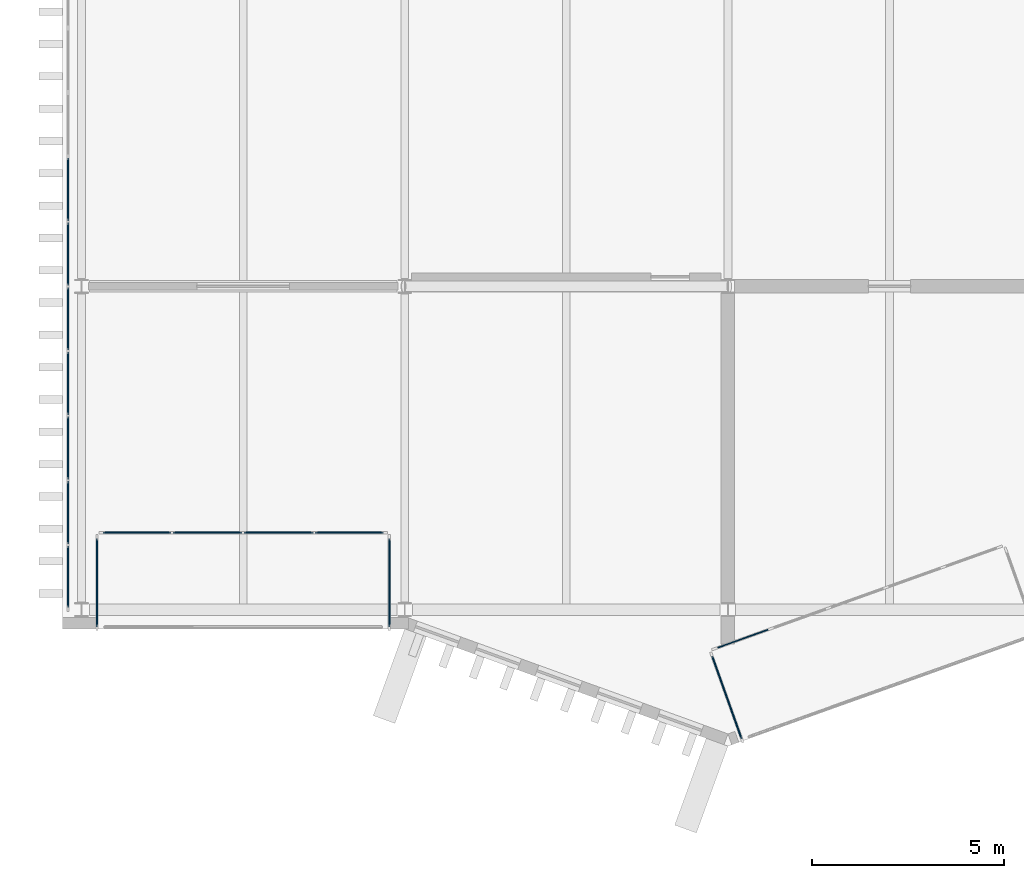
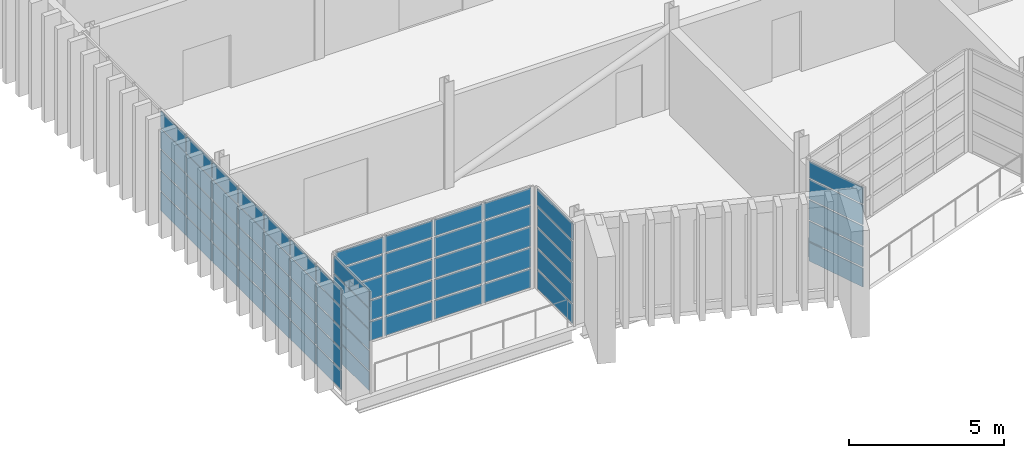
# One storey, part 45 of 96: 71 plates, 6 elements without a shape of their own.
"""IFC4 building model written with IfcOpenShell, lengths in metres."""

import ifcopenshell
import ifcopenshell.guid

model = None  # the IFC model being written
_history = None  # IfcOwnerHistory: only IFC2X3 demands one
_inside = {}  # id of a spatial element -> (the spatial element, [elements in it])
_under = {}  # id of a project, library or spatial element -> (it, [spatial elements below it])
_declared = {}  # id of a project -> (the project, [libraries it declares])
_typed = {}  # id of a type object -> (the type object, [elements of that type])
_made_of = {}  # id of a material, layer set ... -> (it, [elements and type objects made of it])


def new_model(schema):
    """Start an empty IFC model of exactly this schema.

    Asked for "IFC4X3", IfcOpenShell would pick the latest addendum, in which some entities
    have other attributes; the version numbers below select the first issue.
    IFC2X3 requires an IfcOwnerHistory on every rooted entity: one is made here for all.
    """
    global model, _history
    if schema == "IFC4X3":
        model = ifcopenshell.file(schema_version=(4, 3, 0, 0))
    else:
        model = ifcopenshell.file(schema=schema)
    _inside.clear()
    _under.clear()
    _declared.clear()
    _typed.clear()
    _made_of.clear()
    _history = None
    if model.schema == "IFC2X3":
        org = make("IfcOrganization", Name="unknown")
        user = make(
            "IfcPersonAndOrganization",
            ThePerson=make("IfcPerson", FamilyName="unknown"),
            TheOrganization=org,
        )
        app = make(
            "IfcApplication",
            ApplicationDeveloper=org,
            Version="unknown",
            ApplicationFullName="unknown",
            ApplicationIdentifier="unknown",
        )
        _history = make(
            "IfcOwnerHistory",
            OwningUser=user,
            OwningApplication=app,
            ChangeAction="ADDED",
            CreationDate=0,
        )
    return model


def make(cls, **values):
    """One entity of the class cls with the attributes given. An attribute that is None is left unset."""
    return model.create_entity(
        cls, **{name: value for name, value in values.items() if value is not None}
    )


def rooted(cls, **values):
    """An entity with a GlobalId (a new one), such as an element, a storey or a relation."""
    return make(cls, GlobalId=ifcopenshell.guid.new(), OwnerHistory=_history, **values)


def si_unit(unit_type, name, prefix=None):
    """IfcSIUnit, for example si_unit("LENGTHUNIT", "METRE", prefix="MILLI")."""
    return make("IfcSIUnit", UnitType=unit_type, Prefix=prefix, Name=name)


def assignment(units):
    """IfcUnitAssignment: the units of a project."""
    return None if units is None else make("IfcUnitAssignment", Units=units)


def point(xyz):
    """IfcCartesianPoint."""
    return None if xyz is None else make("IfcCartesianPoint", Coordinates=xyz)


def direction(xyz):
    """IfcDirection."""
    return None if xyz is None else make("IfcDirection", DirectionRatios=xyz)


def frame(location, z_axis=None, x_axis=None):
    """IfcAxis2Placement3D, a coordinate frame: its origin and axes. An axis left out is left unset."""
    return make(
        "IfcAxis2Placement3D",
        Location=point(location),
        Axis=direction(z_axis),
        RefDirection=direction(x_axis),
    )


def frame_2d(location, x_axis=None):
    """IfcAxis2Placement2D, a coordinate frame in the plane: its origin and x axis."""
    return make(
        "IfcAxis2Placement2D", Location=point(location), RefDirection=direction(x_axis)
    )


def origin():
    """The frame at (0, 0, 0) with its axes left unset."""
    return frame((0.0, 0.0, 0.0))


def origin_2d():
    """The frame at (0, 0) in the plane with its x axis left unset."""
    return frame_2d((0.0, 0.0))


def place(relative_to, where):
    """IfcLocalPlacement: puts the frame where relative to a parent placement (None: the world)."""
    return make(
        "IfcLocalPlacement", PlacementRelTo=relative_to, RelativePlacement=where
    )


def context(
    kind, dimensions, precision=None, world=None, true_north=None, identifier=None
):
    """IfcGeometricRepresentationContext, for example the 3D "Model" context."""
    return make(
        "IfcGeometricRepresentationContext",
        ContextIdentifier=identifier,
        ContextType=kind,
        CoordinateSpaceDimension=dimensions,
        Precision=precision,
        WorldCoordinateSystem=world,
        TrueNorth=true_north,
    )


def subcontext(parent, identifier, kind, view, scale=None):
    """IfcGeometricRepresentationSubContext, for example "Body" below "Model"."""
    return make(
        "IfcGeometricRepresentationSubContext",
        ContextIdentifier=identifier,
        ContextType=kind,
        ParentContext=parent,
        TargetScale=scale,
        TargetView=view,
    )


def project(units=None, contexts=None):
    """IfcProject with its units and contexts."""
    return rooted(
        "IfcProject",
        Name="project",
        RepresentationContexts=contexts,
        UnitsInContext=assignment(units),
    )


def spatial(cls, under=None, at=None, **own):
    """A site, building, storey or space (cls), placed at a placement, below another one or the project."""
    s = rooted(cls, ObjectPlacement=at, **own)
    if under is not None:
        _under.setdefault(under.id(), (under, []))[1].append(s)
    return s


def profile(cls, at=None, kind="AREA", **sizes):
    """A parametric profile (cls). Its sizes go by their IFC names, for example OverallWidth=200.0."""
    return make(cls, ProfileType=kind, Position=at, **sizes)


def rectangle(**sizes):
    """IfcRectangleProfileDef."""
    return profile("IfcRectangleProfileDef", **sizes)


def extrude(swept, where, along, depth):
    """IfcExtrudedAreaSolid: the profile swept, set in the frame where, extruded along a direction by depth."""
    return make(
        "IfcExtrudedAreaSolid",
        SweptArea=swept,
        Position=where,
        ExtrudedDirection=direction(along),
        Depth=depth,
    )


def shape(context_of_items, identifier, shape_type, items):
    """IfcShapeRepresentation: the items that make up one representation, for example the "Body"."""
    return make(
        "IfcShapeRepresentation",
        ContextOfItems=context_of_items,
        RepresentationIdentifier=identifier,
        RepresentationType=shape_type,
        Items=items,
    )


def material(Name=None, Category=None):
    """IfcMaterial."""
    return make("IfcMaterial", Name=Name, Category=Category)


def layer(
    of_material, thickness, ventilated=None, Name=None, Category=None, Priority=None
):
    """IfcMaterialLayer: one layer of a wall or slab, of a material (None: an air gap)."""
    return make(
        "IfcMaterialLayer",
        Material=of_material,
        LayerThickness=thickness,
        IsVentilated=ventilated,
        Name=Name,
        Category=Category,
        Priority=Priority,
    )


def layer_set(layers, Name=None):
    """IfcMaterialLayerSet."""
    return make("IfcMaterialLayerSet", MaterialLayers=layers, LayerSetName=Name)


def made_of(thing, what):
    """Note that an element or type object is made of a material, layer set ...; save() writes the relation."""
    if what is not None:
        _made_of.setdefault(what.id(), (what, []))[1].append(thing)
    return thing


def type_object(cls, material=None, **own):
    """A type object (cls), such as IfcWallType, which elements share."""
    return made_of(rooted(cls, **own), material)


def element(
    cls,
    number,
    at=None,
    inside=None,
    cuts=None,
    type_object=None,
    material=None,
    context=None,
    identifier="Body",
    shape_type=None,
    held_by="IfcProductDefinitionShape",
    body=None,
    shapes=None,
    **own,
):
    """One element of the class cls, such as IfcWall. Its Tag is "e" and its number.

    at: its placement. inside: the storey or other place that contains it. cuts: it is an
    opening in that element (IfcRelVoidsElement). A single representation is given by context,
    identifier, shape_type and body (its items); several are given by shapes. held_by: the class
    of the entity that holds the representations. save() writes the other relations.
    """
    e = rooted(cls, Tag="e%d" % number, ObjectPlacement=at, **own)
    if body is not None:
        shapes = [shape(context, identifier, shape_type, body)]
    if shapes is not None:
        e.Representation = make(held_by, Representations=shapes)
    if inside is not None:
        _inside.setdefault(inside.id(), (inside, []))[1].append(e)
    if cuts is not None:
        rooted(
            "IfcRelVoidsElement", RelatingBuildingElement=cuts, RelatedOpeningElement=e
        )
    if type_object is not None:
        _typed.setdefault(type_object.id(), (type_object, []))[1].append(e)
    return made_of(e, material)


def aggregate(whole, parts):
    """IfcRelAggregates: a whole, such as a stair, and the parts it consists of."""
    return rooted("IfcRelAggregates", RelatingObject=whole, RelatedObjects=parts)


def save(model, path):
    """Write the relations noted so far, then the file.

    IfcRelAggregates (storeys below a building ...), IfcRelContainedInSpatialStructure (elements
    in a storey), IfcRelDefinesByType, IfcRelAssociatesMaterial and IfcRelDeclares: one each for
    every whole, place, type object, material and project.
    """
    for whole, parts in _under.values():
        aggregate(whole, parts)
    for where, things in _inside.values():
        rooted(
            "IfcRelContainedInSpatialStructure",
            RelatedElements=things,
            RelatingStructure=where,
        )
    for kind, things in _typed.values():
        rooted("IfcRelDefinesByType", RelatedObjects=things, RelatingType=kind)
    for what, things in _made_of.values():
        rooted("IfcRelAssociatesMaterial", RelatedObjects=things, RelatingMaterial=what)
    for by, libraries in _declared.values():
        rooted("IfcRelDeclares", RelatingContext=by, RelatedDefinitions=libraries)
    model.write(path)


model = new_model("IFC4")

# Units and contexts
model_context = context("Model", 3, precision=1e-05, world=origin(), true_north=direction((0.0, 1.0)))
body_context = subcontext(model_context, "Body", "Model", "MODEL_VIEW")
ifc_project = project(units=[si_unit("LENGTHUNIT", "METRE"), si_unit("AREAUNIT", "SQUARE_METRE"), si_unit("VOLUMEUNIT", "CUBIC_METRE"), si_unit("PLANEANGLEUNIT", "RADIAN"), si_unit("MASSUNIT", "GRAM", prefix="KILO")], contexts=[model_context])

# Site, building, storey
site_placement = place(None, origin())
site = spatial("IfcSite", under=ifc_project, at=site_placement, CompositionType="ELEMENT")
building_placement = place(site_placement, origin())
building = spatial("IfcBuilding", under=site, at=building_placement, Name="Cresset Court Congress Hotel", CompositionType="ELEMENT")
storey_placement = place(building_placement, frame((0.0, 0.0, 6.0)))
storey = spatial("IfcBuildingStorey", under=building, at=storey_placement, Name="L01", CompositionType="ELEMENT", Elevation=6.0)

# Curtain wall, plates
ifc_material_1 = material(Name="Aluminium frame with double glazing", Category="aluminium")
ifc_layer_1 = layer(ifc_material_1, 0.199951171875)
ifc_layer_set_1 = layer_set([ifc_layer_1], Name="Glazed box curtain wall 1680 module")
curtain_wall_type = type_object("IfcCurtainWallType", Name="Glazed box curtain wall 1680 module", PredefinedType="NOTDEFINED", material=ifc_layer_set_1)
curtain_wall_1_placement = place(storey_placement, origin())
curtain_wall_1 = element("IfcCurtainWall", 1, at=curtain_wall_1_placement, inside=storey, type_object=curtain_wall_type, Name="Glazed box S0100 front", PredefinedType="NOTDEFINED")
ifc_material_2 = material(Name="Toughened double glazing", Category="glass")
ifc_layer_2 = layer(ifc_material_2, 0.028076171875)
ifc_layer_set_2 = layer_set([ifc_layer_2], Name="Box glass panel 28")
plate_type_1 = type_object("IfcPlateType", Name="Box glass panel 28", PredefinedType="CURTAIN_PANEL", material=ifc_layer_set_2)
plate_1_placement = place(storey_placement, frame((9.840087890625, 2.0, 0.06005859375), z_axis=(0.0, 0.0, 1.0), x_axis=(1.0, 0.0, 0.0)))
plate_1 = element("IfcPlate", 2, at=plate_1_placement, type_object=plate_type_1, Name="B-X1 panel 1.1", PredefinedType="CURTAIN_PANEL", context=body_context, shape_type="SweptSolid", body=[
    extrude(rectangle(XDim=1.760009765625, YDim=0.028076171875, at=origin_2d()), origin(), (0.0, 0.0, 1.0), 0.739990234375),
])
plate_2_placement = place(storey_placement, frame((9.840087890625, 2.0, 0.860107421875), z_axis=(0.0, 0.0, 1.0), x_axis=(1.0, 0.0, 0.0)))
plate_2 = element("IfcPlate", 3, at=plate_2_placement, type_object=plate_type_1, Name="B-X1 panel 1.2", PredefinedType="CURTAIN_PANEL", context=body_context, shape_type="SweptSolid", body=[
    extrude(rectangle(XDim=1.760009765625, YDim=0.028076171875, at=origin_2d()), origin(), (0.0, 0.0, 1.0), 0.77001953125),
])
plate_3_placement = place(storey_placement, frame((9.840087890625, 2.0, 1.68994140625), z_axis=(0.0, 0.0, 1.0), x_axis=(1.0, 0.0, 0.0)))
plate_3 = element("IfcPlate", 4, at=plate_3_placement, type_object=plate_type_1, Name="B-X1 panel 1.3", PredefinedType="CURTAIN_PANEL", context=body_context, shape_type="SweptSolid", body=[
    extrude(rectangle(XDim=1.760009765625, YDim=0.028076171875, at=origin_2d()), origin(), (0.0, 0.0, 1.0), 0.77001953125),
])
plate_4_placement = place(storey_placement, frame((9.840087890625, 2.0, 2.52001953125), z_axis=(0.0, 0.0, 1.0), x_axis=(1.0, 0.0, 0.0)))
plate_4 = element("IfcPlate", 5, at=plate_4_placement, type_object=plate_type_1, Name="B-X1 panel 1.4", PredefinedType="CURTAIN_PANEL", context=body_context, shape_type="SweptSolid", body=[
    extrude(rectangle(XDim=1.760009765625, YDim=0.028076171875, at=origin_2d()), origin(), (0.0, 0.0, 1.0), 0.77001953125),
])
plate_5_placement = place(storey_placement, frame((11.675048828125, 2.0, 0.06005859375), z_axis=(0.0, 0.0, 1.0), x_axis=(1.0, 0.0, 0.0)))
plate_5 = element("IfcPlate", 6, at=plate_5_placement, type_object=plate_type_1, Name="B-X1 panel 2.1", PredefinedType="CURTAIN_PANEL", context=body_context, shape_type="SweptSolid", body=[
    extrude(rectangle(XDim=1.7900390625, YDim=0.028076171875, at=origin_2d()), origin(), (0.0, 0.0, 1.0), 0.739990234375),
])
plate_6_placement = place(storey_placement, frame((11.675048828125, 2.0, 0.860107421875), z_axis=(0.0, 0.0, 1.0), x_axis=(1.0, 0.0, 0.0)))
plate_6 = element("IfcPlate", 7, at=plate_6_placement, type_object=plate_type_1, Name="B-X1 panel 2.2", PredefinedType="CURTAIN_PANEL", context=body_context, shape_type="SweptSolid", body=[
    extrude(rectangle(XDim=1.7900390625, YDim=0.028076171875, at=origin_2d()), origin(), (0.0, 0.0, 1.0), 0.77001953125),
])
plate_7_placement = place(storey_placement, frame((11.675048828125, 2.0, 1.68994140625), z_axis=(0.0, 0.0, 1.0), x_axis=(1.0, 0.0, 0.0)))
plate_7 = element("IfcPlate", 8, at=plate_7_placement, type_object=plate_type_1, Name="B-X1 panel 2.3", PredefinedType="CURTAIN_PANEL", context=body_context, shape_type="SweptSolid", body=[
    extrude(rectangle(XDim=1.7900390625, YDim=0.028076171875, at=origin_2d()), origin(), (0.0, 0.0, 1.0), 0.77001953125),
])
plate_8_placement = place(storey_placement, frame((11.675048828125, 2.0, 2.52001953125), z_axis=(0.0, 0.0, 1.0), x_axis=(1.0, 0.0, 0.0)))
plate_8 = element("IfcPlate", 9, at=plate_8_placement, type_object=plate_type_1, Name="B-X1 panel 2.4", PredefinedType="CURTAIN_PANEL", context=body_context, shape_type="SweptSolid", body=[
    extrude(rectangle(XDim=1.7900390625, YDim=0.028076171875, at=origin_2d()), origin(), (0.0, 0.0, 1.0), 0.77001953125),
])
plate_9_placement = place(storey_placement, frame((13.52490234375, 2.0, 0.06005859375), z_axis=(0.0, 0.0, 1.0), x_axis=(1.0, 0.0, 0.0)))
plate_9 = element("IfcPlate", 10, at=plate_9_placement, type_object=plate_type_1, Name="B-X1 panel 3.1", PredefinedType="CURTAIN_PANEL", context=body_context, shape_type="SweptSolid", body=[
    extrude(rectangle(XDim=1.7900390625, YDim=0.028076171875, at=origin_2d()), origin(), (0.0, 0.0, 1.0), 0.739990234375),
])
plate_10_placement = place(storey_placement, frame((13.52490234375, 2.0, 0.860107421875), z_axis=(0.0, 0.0, 1.0), x_axis=(1.0, 0.0, 0.0)))
plate_10 = element("IfcPlate", 11, at=plate_10_placement, type_object=plate_type_1, Name="B-X1 panel 3.2", PredefinedType="CURTAIN_PANEL", context=body_context, shape_type="SweptSolid", body=[
    extrude(rectangle(XDim=1.7900390625, YDim=0.028076171875, at=origin_2d()), origin(), (0.0, 0.0, 1.0), 0.77001953125),
])
plate_11_placement = place(storey_placement, frame((13.52490234375, 2.0, 1.68994140625), z_axis=(0.0, 0.0, 1.0), x_axis=(1.0, 0.0, 0.0)))
plate_11 = element("IfcPlate", 12, at=plate_11_placement, type_object=plate_type_1, Name="B-X1 panel 3.3", PredefinedType="CURTAIN_PANEL", context=body_context, shape_type="SweptSolid", body=[
    extrude(rectangle(XDim=1.7900390625, YDim=0.028076171875, at=origin_2d()), origin(), (0.0, 0.0, 1.0), 0.77001953125),
])
plate_12_placement = place(storey_placement, frame((13.52490234375, 2.0, 2.52001953125), z_axis=(0.0, 0.0, 1.0), x_axis=(1.0, 0.0, 0.0)))
plate_12 = element("IfcPlate", 13, at=plate_12_placement, type_object=plate_type_1, Name="B-X1 panel 3.4", PredefinedType="CURTAIN_PANEL", context=body_context, shape_type="SweptSolid", body=[
    extrude(rectangle(XDim=1.7900390625, YDim=0.028076171875, at=origin_2d()), origin(), (0.0, 0.0, 1.0), 0.77001953125),
])
plate_13_placement = place(storey_placement, frame((15.360107421875, 2.0, 0.06005859375), z_axis=(0.0, 0.0, 1.0), x_axis=(1.0, 0.0, 0.0)))
plate_13 = element("IfcPlate", 14, at=plate_13_placement, type_object=plate_type_1, Name="B-X1 panel 4.1", PredefinedType="CURTAIN_PANEL", context=body_context, shape_type="SweptSolid", body=[
    extrude(rectangle(XDim=1.760009765625, YDim=0.028076171875, at=origin_2d()), origin(), (0.0, 0.0, 1.0), 0.739990234375),
])
plate_14_placement = place(storey_placement, frame((15.360107421875, 2.0, 0.860107421875), z_axis=(0.0, 0.0, 1.0), x_axis=(1.0, 0.0, 0.0)))
plate_14 = element("IfcPlate", 15, at=plate_14_placement, type_object=plate_type_1, Name="B-X1 panel 4.2", PredefinedType="CURTAIN_PANEL", context=body_context, shape_type="SweptSolid", body=[
    extrude(rectangle(XDim=1.760009765625, YDim=0.028076171875, at=origin_2d()), origin(), (0.0, 0.0, 1.0), 0.77001953125),
])
plate_15_placement = place(storey_placement, frame((15.360107421875, 2.0, 1.68994140625), z_axis=(0.0, 0.0, 1.0), x_axis=(1.0, 0.0, 0.0)))
plate_15 = element("IfcPlate", 16, at=plate_15_placement, type_object=plate_type_1, Name="B-X1 panel 4.3", PredefinedType="CURTAIN_PANEL", context=body_context, shape_type="SweptSolid", body=[
    extrude(rectangle(XDim=1.760009765625, YDim=0.028076171875, at=origin_2d()), origin(), (0.0, 0.0, 1.0), 0.77001953125),
])
plate_16_placement = place(storey_placement, frame((15.360107421875, 2.0, 2.52001953125), z_axis=(0.0, 0.0, 1.0), x_axis=(1.0, 0.0, 0.0)))
plate_16 = element("IfcPlate", 17, at=plate_16_placement, type_object=plate_type_1, Name="B-X1 panel 4.4", PredefinedType="CURTAIN_PANEL", context=body_context, shape_type="SweptSolid", body=[
    extrude(rectangle(XDim=1.760009765625, YDim=0.028076171875, at=origin_2d()), origin(), (0.0, 0.0, 1.0), 0.77001953125),
])

curtain_wall_2_placement = place(storey_placement, origin())
curtain_wall_2 = element("IfcCurtainWall", 18, at=curtain_wall_2_placement, inside=storey, type_object=curtain_wall_type, Name="Glazed box S0100 side", PredefinedType="NOTDEFINED")
plate_17_placement = place(storey_placement, frame((8.800048828125, 0.699951171875, 0.06005859375), z_axis=(0.0, 0.0, 1.0), x_axis=(0.0, 1.0, 0.0)))
plate_17 = element("IfcPlate", 19, at=plate_17_placement, type_object=plate_type_1, Name="B-X1 panel 1.1", PredefinedType="CURTAIN_PANEL", context=body_context, shape_type="SweptSolid", body=[
    extrude(rectangle(XDim=2.280029296875, YDim=0.028076171875, at=origin_2d()), origin(), (0.0, 0.0, 1.0), 0.739990234375),
])
plate_18_placement = place(storey_placement, frame((8.800048828125, 0.699951171875, 0.860107421875), z_axis=(0.0, 0.0, 1.0), x_axis=(0.0, 1.0, 0.0)))
plate_18 = element("IfcPlate", 20, at=plate_18_placement, type_object=plate_type_1, Name="B-X1 panel 1.2", PredefinedType="CURTAIN_PANEL", context=body_context, shape_type="SweptSolid", body=[
    extrude(rectangle(XDim=2.280029296875, YDim=0.028076171875, at=origin_2d()), origin(), (0.0, 0.0, 1.0), 0.77001953125),
])
plate_19_placement = place(storey_placement, frame((8.800048828125, 0.699951171875, 1.68994140625), z_axis=(0.0, 0.0, 1.0), x_axis=(0.0, 1.0, 0.0)))
plate_19 = element("IfcPlate", 21, at=plate_19_placement, type_object=plate_type_1, Name="B-X1 panel 1.3", PredefinedType="CURTAIN_PANEL", context=body_context, shape_type="SweptSolid", body=[
    extrude(rectangle(XDim=2.280029296875, YDim=0.028076171875, at=origin_2d()), origin(), (0.0, 0.0, 1.0), 0.77001953125),
])
plate_20_placement = place(storey_placement, frame((8.800048828125, 0.699951171875, 2.52001953125), z_axis=(0.0, 0.0, 1.0), x_axis=(0.0, 1.0, 0.0)))
plate_20 = element("IfcPlate", 22, at=plate_20_placement, type_object=plate_type_1, Name="B-X1 panel 1.4", PredefinedType="CURTAIN_PANEL", context=body_context, shape_type="SweptSolid", body=[
    extrude(rectangle(XDim=2.280029296875, YDim=0.028076171875, at=origin_2d()), origin(), (0.0, 0.0, 1.0), 0.77001953125),
])

curtain_wall_3_placement = place(storey_placement, origin())
curtain_wall_3 = element("IfcCurtainWall", 23, at=curtain_wall_3_placement, inside=storey, type_object=curtain_wall_type, Name="Glazed box S0100 side", PredefinedType="NOTDEFINED")
plate_21_placement = place(storey_placement, frame((16.39990234375, 0.699951171875, 0.06005859375), z_axis=(0.0, 0.0, 1.0), x_axis=(0.0, 1.0, 0.0)))
plate_21 = element("IfcPlate", 24, at=plate_21_placement, type_object=plate_type_1, Name="B-X1 panel 1.1", PredefinedType="CURTAIN_PANEL", context=body_context, shape_type="SweptSolid", body=[
    extrude(rectangle(XDim=2.280029296875, YDim=0.028076171875, at=origin_2d()), origin(), (0.0, 0.0, 1.0), 0.739990234375),
])
plate_22_placement = place(storey_placement, frame((16.39990234375, 0.699951171875, 0.860107421875), z_axis=(0.0, 0.0, 1.0), x_axis=(0.0, 1.0, 0.0)))
plate_22 = element("IfcPlate", 25, at=plate_22_placement, type_object=plate_type_1, Name="B-X1 panel 1.2", PredefinedType="CURTAIN_PANEL", context=body_context, shape_type="SweptSolid", body=[
    extrude(rectangle(XDim=2.280029296875, YDim=0.028076171875, at=origin_2d()), origin(), (0.0, 0.0, 1.0), 0.77001953125),
])
plate_23_placement = place(storey_placement, frame((16.39990234375, 0.699951171875, 1.68994140625), z_axis=(0.0, 0.0, 1.0), x_axis=(0.0, 1.0, 0.0)))
plate_23 = element("IfcPlate", 26, at=plate_23_placement, type_object=plate_type_1, Name="B-X1 panel 1.3", PredefinedType="CURTAIN_PANEL", context=body_context, shape_type="SweptSolid", body=[
    extrude(rectangle(XDim=2.280029296875, YDim=0.028076171875, at=origin_2d()), origin(), (0.0, 0.0, 1.0), 0.77001953125),
])
plate_24_placement = place(storey_placement, frame((16.39990234375, 0.699951171875, 2.52001953125), z_axis=(0.0, 0.0, 1.0), x_axis=(0.0, 1.0, 0.0)))
plate_24 = element("IfcPlate", 27, at=plate_24_placement, type_object=plate_type_1, Name="B-X1 panel 1.4", PredefinedType="CURTAIN_PANEL", context=body_context, shape_type="SweptSolid", body=[
    extrude(rectangle(XDim=2.280029296875, YDim=0.028076171875, at=origin_2d()), origin(), (0.0, 0.0, 1.0), 0.77001953125),
])

# Curtain wall, plate
curtain_wall_4_placement = place(storey_placement, origin())
curtain_wall_4 = element("IfcCurtainWall", 28, at=curtain_wall_4_placement, inside=storey, type_object=curtain_wall_type, Name="Glazed box S0103 front", PredefinedType="NOTDEFINED")
plate_25_placement = place(storey_placement, frame((25.590087890625, -0.756103515625, 0.06005859375), z_axis=(0.0, 0.0, 1.0), x_axis=(0.941741911601, 0.336336396981, 0.0)))
plate_25 = element("IfcPlate", 29, at=plate_25_placement, type_object=plate_type_1, Name="B-X1 panel 1.1", PredefinedType="CURTAIN_PANEL", context=body_context, shape_type="SweptSolid", body=[
    extrude(rectangle(XDim=1.493896484375, YDim=0.028076171875, at=origin_2d()), origin(), (0.0, 0.0, 1.0), 0.739990234375),
])
aggregate(curtain_wall_4, [plate_25])

# Curtain wall, plates
curtain_wall_5_placement = place(storey_placement, origin())
curtain_wall_5 = element("IfcCurtainWall", 30, at=curtain_wall_5_placement, inside=storey, type_object=curtain_wall_type, Name="Glazed box S0103 side", PredefinedType="NOTDEFINED")
plate_26_placement = place(storey_placement, frame((25.173095703125, -2.285400390625, 0.06005859375), z_axis=(0.0, 0.0, 1.0), x_axis=(-0.336336397047, 0.941741911578, 0.0)))
plate_26 = element("IfcPlate", 31, at=plate_26_placement, type_object=plate_type_1, Name="B-X1 panel 1.1", PredefinedType="CURTAIN_PANEL", context=body_context, shape_type="SweptSolid", body=[
    extrude(rectangle(XDim=2.280029296875, YDim=0.028076171875, at=origin_2d()), origin(), (0.0, 0.0, 1.0), 0.739990234375),
])
plate_27_placement = place(storey_placement, frame((25.173095703125, -2.285400390625, 0.860107421875), z_axis=(0.0, 0.0, 1.0), x_axis=(-0.336336397047, 0.941741911578, 0.0)))
plate_27 = element("IfcPlate", 32, at=plate_27_placement, type_object=plate_type_1, Name="B-X1 panel 1.2", PredefinedType="CURTAIN_PANEL", context=body_context, shape_type="SweptSolid", body=[
    extrude(rectangle(XDim=2.280029296875, YDim=0.028076171875, at=origin_2d()), origin(), (0.0, 0.0, 1.0), 0.77001953125),
])
plate_28_placement = place(storey_placement, frame((25.173095703125, -2.285400390625, 1.68994140625), z_axis=(0.0, 0.0, 1.0), x_axis=(-0.336336397047, 0.941741911578, 0.0)))
plate_28 = element("IfcPlate", 33, at=plate_28_placement, type_object=plate_type_1, Name="B-X1 panel 1.3", PredefinedType="CURTAIN_PANEL", context=body_context, shape_type="SweptSolid", body=[
    extrude(rectangle(XDim=2.280029296875, YDim=0.028076171875, at=origin_2d()), origin(), (0.0, 0.0, 1.0), 0.77001953125),
])
plate_29_placement = place(storey_placement, frame((25.173095703125, -2.285400390625, 2.52001953125), z_axis=(0.0, 0.0, 1.0), x_axis=(-0.336336397047, 0.941741911578, 0.0)))
plate_29 = element("IfcPlate", 34, at=plate_29_placement, type_object=plate_type_1, Name="B-X1 panel 1.4", PredefinedType="CURTAIN_PANEL", context=body_context, shape_type="SweptSolid", body=[
    extrude(rectangle(XDim=2.280029296875, YDim=0.028076171875, at=origin_2d()), origin(), (0.0, 0.0, 1.0), 0.77001953125),
])

curtain_wall_6_placement = place(storey_placement, origin())
curtain_wall_6 = element("IfcCurtainWall", 35, at=curtain_wall_6_placement, inside=storey, type_object=curtain_wall_type, Name="Foyer glazed front L01", PredefinedType="NOTDEFINED")
plate_30_placement = place(storey_placement, frame((8.050048828125, 0.85498046875, 0.06005859375), z_axis=(0.0, 0.0, 1.0), x_axis=(0.0, 1.0, 0.0)))
plate_30 = element("IfcPlate", 36, at=plate_30_placement, type_object=plate_type_1, Name="B-X1 panel 1.1", PredefinedType="CURTAIN_PANEL", context=body_context, shape_type="SweptSolid", body=[
    extrude(rectangle(XDim=1.590087890625, YDim=0.028076171875, at=origin_2d()), origin(), (0.0, 0.0, 1.0), 0.739990234375),
])
plate_31_placement = place(storey_placement, frame((8.050048828125, 0.85498046875, 0.860107421875), z_axis=(0.0, 0.0, 1.0), x_axis=(0.0, 1.0, 0.0)))
plate_31 = element("IfcPlate", 37, at=plate_31_placement, type_object=plate_type_1, Name="B-X1 panel 1.2", PredefinedType="CURTAIN_PANEL", context=body_context, shape_type="SweptSolid", body=[
    extrude(rectangle(XDim=1.590087890625, YDim=0.028076171875, at=origin_2d()), origin(), (0.0, 0.0, 1.0), 0.77001953125),
])
plate_32_placement = place(storey_placement, frame((8.050048828125, 0.85498046875, 1.68994140625), z_axis=(0.0, 0.0, 1.0), x_axis=(0.0, 1.0, 0.0)))
plate_32 = element("IfcPlate", 38, at=plate_32_placement, type_object=plate_type_1, Name="B-X1 panel 1.3", PredefinedType="CURTAIN_PANEL", context=body_context, shape_type="SweptSolid", body=[
    extrude(rectangle(XDim=1.590087890625, YDim=0.028076171875, at=origin_2d()), origin(), (0.0, 0.0, 1.0), 0.77001953125),
])
plate_33_placement = place(storey_placement, frame((8.050048828125, 0.85498046875, 2.52001953125), z_axis=(0.0, 0.0, 1.0), x_axis=(0.0, 1.0, 0.0)))
plate_33 = element("IfcPlate", 39, at=plate_33_placement, type_object=plate_type_1, Name="B-X1 panel 1.4", PredefinedType="CURTAIN_PANEL", context=body_context, shape_type="SweptSolid", body=[
    extrude(rectangle(XDim=1.590087890625, YDim=0.028076171875, at=origin_2d()), origin(), (0.0, 0.0, 1.0), 0.77001953125),
])
plate_34_placement = place(storey_placement, frame((8.050048828125, 2.52001953125, 0.06005859375), z_axis=(0.0, 0.0, 1.0), x_axis=(0.0, 1.0, 0.0)))
plate_34 = element("IfcPlate", 40, at=plate_34_placement, type_object=plate_type_1, Name="B-X1 panel 2.1", PredefinedType="CURTAIN_PANEL", context=body_context, shape_type="SweptSolid", body=[
    extrude(rectangle(XDim=1.6201171875, YDim=0.028076171875, at=origin_2d()), origin(), (0.0, 0.0, 1.0), 0.739990234375),
])
plate_35_placement = place(storey_placement, frame((8.050048828125, 2.52001953125, 0.860107421875), z_axis=(0.0, 0.0, 1.0), x_axis=(0.0, 1.0, 0.0)))
plate_35 = element("IfcPlate", 41, at=plate_35_placement, type_object=plate_type_1, Name="B-X1 panel 2.2", PredefinedType="CURTAIN_PANEL", context=body_context, shape_type="SweptSolid", body=[
    extrude(rectangle(XDim=1.6201171875, YDim=0.028076171875, at=origin_2d()), origin(), (0.0, 0.0, 1.0), 0.77001953125),
])
plate_36_placement = place(storey_placement, frame((8.050048828125, 2.52001953125, 1.68994140625), z_axis=(0.0, 0.0, 1.0), x_axis=(0.0, 1.0, 0.0)))
plate_36 = element("IfcPlate", 42, at=plate_36_placement, type_object=plate_type_1, Name="B-X1 panel 2.3", PredefinedType="CURTAIN_PANEL", context=body_context, shape_type="SweptSolid", body=[
    extrude(rectangle(XDim=1.6201171875, YDim=0.028076171875, at=origin_2d()), origin(), (0.0, 0.0, 1.0), 0.77001953125),
])
plate_37_placement = place(storey_placement, frame((8.050048828125, 2.52001953125, 2.52001953125), z_axis=(0.0, 0.0, 1.0), x_axis=(0.0, 1.0, 0.0)))
plate_37 = element("IfcPlate", 43, at=plate_37_placement, type_object=plate_type_1, Name="B-X1 panel 2.4", PredefinedType="CURTAIN_PANEL", context=body_context, shape_type="SweptSolid", body=[
    extrude(rectangle(XDim=1.6201171875, YDim=0.028076171875, at=origin_2d()), origin(), (0.0, 0.0, 1.0), 0.77001953125),
])
plate_38_placement = place(storey_placement, frame((8.050048828125, 4.199951171875, 0.06005859375), z_axis=(0.0, 0.0, 1.0), x_axis=(0.0, 1.0, 0.0)))
plate_38 = element("IfcPlate", 44, at=plate_38_placement, type_object=plate_type_1, Name="B-X1 panel 3.1", PredefinedType="CURTAIN_PANEL", context=body_context, shape_type="SweptSolid", body=[
    extrude(rectangle(XDim=1.6201171875, YDim=0.028076171875, at=origin_2d()), origin(), (0.0, 0.0, 1.0), 0.739990234375),
])
plate_39_placement = place(storey_placement, frame((8.050048828125, 4.199951171875, 0.860107421875), z_axis=(0.0, 0.0, 1.0), x_axis=(0.0, 1.0, 0.0)))
plate_39 = element("IfcPlate", 45, at=plate_39_placement, type_object=plate_type_1, Name="B-X1 panel 3.2", PredefinedType="CURTAIN_PANEL", context=body_context, shape_type="SweptSolid", body=[
    extrude(rectangle(XDim=1.6201171875, YDim=0.028076171875, at=origin_2d()), origin(), (0.0, 0.0, 1.0), 0.77001953125),
])
plate_40_placement = place(storey_placement, frame((8.050048828125, 4.199951171875, 1.68994140625), z_axis=(0.0, 0.0, 1.0), x_axis=(0.0, 1.0, 0.0)))
plate_40 = element("IfcPlate", 46, at=plate_40_placement, type_object=plate_type_1, Name="B-X1 panel 3.3", PredefinedType="CURTAIN_PANEL", context=body_context, shape_type="SweptSolid", body=[
    extrude(rectangle(XDim=1.6201171875, YDim=0.028076171875, at=origin_2d()), origin(), (0.0, 0.0, 1.0), 0.77001953125),
])
plate_41_placement = place(storey_placement, frame((8.050048828125, 4.199951171875, 2.52001953125), z_axis=(0.0, 0.0, 1.0), x_axis=(0.0, 1.0, 0.0)))
plate_41 = element("IfcPlate", 47, at=plate_41_placement, type_object=plate_type_1, Name="B-X1 panel 3.4", PredefinedType="CURTAIN_PANEL", context=body_context, shape_type="SweptSolid", body=[
    extrude(rectangle(XDim=1.6201171875, YDim=0.028076171875, at=origin_2d()), origin(), (0.0, 0.0, 1.0), 0.77001953125),
])
plate_42_placement = place(storey_placement, frame((8.050048828125, 5.8798828125, 0.06005859375), z_axis=(0.0, 0.0, 1.0), x_axis=(0.0, 1.0, 0.0)))
plate_42 = element("IfcPlate", 48, at=plate_42_placement, type_object=plate_type_1, Name="B-X1 panel 4.1", PredefinedType="CURTAIN_PANEL", context=body_context, shape_type="SweptSolid", body=[
    extrude(rectangle(XDim=1.6201171875, YDim=0.028076171875, at=origin_2d()), origin(), (0.0, 0.0, 1.0), 0.739990234375),
])
plate_43_placement = place(storey_placement, frame((8.050048828125, 5.8798828125, 0.860107421875), z_axis=(0.0, 0.0, 1.0), x_axis=(0.0, 1.0, 0.0)))
plate_43 = element("IfcPlate", 49, at=plate_43_placement, type_object=plate_type_1, Name="B-X1 panel 4.2", PredefinedType="CURTAIN_PANEL", context=body_context, shape_type="SweptSolid", body=[
    extrude(rectangle(XDim=1.6201171875, YDim=0.028076171875, at=origin_2d()), origin(), (0.0, 0.0, 1.0), 0.77001953125),
])
plate_44_placement = place(storey_placement, frame((8.050048828125, 5.8798828125, 1.68994140625), z_axis=(0.0, 0.0, 1.0), x_axis=(0.0, 1.0, 0.0)))
plate_44 = element("IfcPlate", 50, at=plate_44_placement, type_object=plate_type_1, Name="B-X1 panel 4.3", PredefinedType="CURTAIN_PANEL", context=body_context, shape_type="SweptSolid", body=[
    extrude(rectangle(XDim=1.6201171875, YDim=0.028076171875, at=origin_2d()), origin(), (0.0, 0.0, 1.0), 0.77001953125),
])
plate_45_placement = place(storey_placement, frame((8.050048828125, 5.8798828125, 2.52001953125), z_axis=(0.0, 0.0, 1.0), x_axis=(0.0, 1.0, 0.0)))
plate_45 = element("IfcPlate", 51, at=plate_45_placement, type_object=plate_type_1, Name="B-X1 panel 4.4", PredefinedType="CURTAIN_PANEL", context=body_context, shape_type="SweptSolid", body=[
    extrude(rectangle(XDim=1.6201171875, YDim=0.028076171875, at=origin_2d()), origin(), (0.0, 0.0, 1.0), 0.77001953125),
])
plate_46_placement = place(storey_placement, frame((8.050048828125, 7.56005859375, 0.06005859375), z_axis=(0.0, 0.0, 1.0), x_axis=(0.0, 1.0, 0.0)))
plate_46 = element("IfcPlate", 52, at=plate_46_placement, type_object=plate_type_1, Name="B-X1 panel 5.1", PredefinedType="CURTAIN_PANEL", context=body_context, shape_type="SweptSolid", body=[
    extrude(rectangle(XDim=1.6201171875, YDim=0.028076171875, at=origin_2d()), origin(), (0.0, 0.0, 1.0), 0.739990234375),
])
plate_47_placement = place(storey_placement, frame((8.050048828125, 7.56005859375, 0.860107421875), z_axis=(0.0, 0.0, 1.0), x_axis=(0.0, 1.0, 0.0)))
plate_47 = element("IfcPlate", 53, at=plate_47_placement, type_object=plate_type_1, Name="B-X1 panel 5.2", PredefinedType="CURTAIN_PANEL", context=body_context, shape_type="SweptSolid", body=[
    extrude(rectangle(XDim=1.6201171875, YDim=0.028076171875, at=origin_2d()), origin(), (0.0, 0.0, 1.0), 0.77001953125),
])
plate_48_placement = place(storey_placement, frame((8.050048828125, 7.56005859375, 1.68994140625), z_axis=(0.0, 0.0, 1.0), x_axis=(0.0, 1.0, 0.0)))
plate_48 = element("IfcPlate", 54, at=plate_48_placement, type_object=plate_type_1, Name="B-X1 panel 5.3", PredefinedType="CURTAIN_PANEL", context=body_context, shape_type="SweptSolid", body=[
    extrude(rectangle(XDim=1.6201171875, YDim=0.028076171875, at=origin_2d()), origin(), (0.0, 0.0, 1.0), 0.77001953125),
])
plate_49_placement = place(storey_placement, frame((8.050048828125, 7.56005859375, 2.52001953125), z_axis=(0.0, 0.0, 1.0), x_axis=(0.0, 1.0, 0.0)))
plate_49 = element("IfcPlate", 55, at=plate_49_placement, type_object=plate_type_1, Name="B-X1 panel 5.4", PredefinedType="CURTAIN_PANEL", context=body_context, shape_type="SweptSolid", body=[
    extrude(rectangle(XDim=1.6201171875, YDim=0.028076171875, at=origin_2d()), origin(), (0.0, 0.0, 1.0), 0.77001953125),
])
plate_50_placement = place(storey_placement, frame((8.050048828125, 9.239990234375, 0.06005859375), z_axis=(0.0, 0.0, 1.0), x_axis=(0.0, 1.0, 0.0)))
plate_50 = element("IfcPlate", 56, at=plate_50_placement, type_object=plate_type_1, Name="B-X1 panel 6.1", PredefinedType="CURTAIN_PANEL", context=body_context, shape_type="SweptSolid", body=[
    extrude(rectangle(XDim=1.6201171875, YDim=0.028076171875, at=origin_2d()), origin(), (0.0, 0.0, 1.0), 0.739990234375),
])
plate_51_placement = place(storey_placement, frame((8.050048828125, 9.239990234375, 0.860107421875), z_axis=(0.0, 0.0, 1.0), x_axis=(0.0, 1.0, 0.0)))
plate_51 = element("IfcPlate", 57, at=plate_51_placement, type_object=plate_type_1, Name="B-X1 panel 6.2", PredefinedType="CURTAIN_PANEL", context=body_context, shape_type="SweptSolid", body=[
    extrude(rectangle(XDim=1.6201171875, YDim=0.028076171875, at=origin_2d()), origin(), (0.0, 0.0, 1.0), 0.77001953125),
])
plate_52_placement = place(storey_placement, frame((8.050048828125, 9.239990234375, 1.68994140625), z_axis=(0.0, 0.0, 1.0), x_axis=(0.0, 1.0, 0.0)))
plate_52 = element("IfcPlate", 58, at=plate_52_placement, type_object=plate_type_1, Name="B-X1 panel 6.3", PredefinedType="CURTAIN_PANEL", context=body_context, shape_type="SweptSolid", body=[
    extrude(rectangle(XDim=1.6201171875, YDim=0.028076171875, at=origin_2d()), origin(), (0.0, 0.0, 1.0), 0.77001953125),
])
plate_53_placement = place(storey_placement, frame((8.050048828125, 9.239990234375, 2.52001953125), z_axis=(0.0, 0.0, 1.0), x_axis=(0.0, 1.0, 0.0)))
plate_53 = element("IfcPlate", 59, at=plate_53_placement, type_object=plate_type_1, Name="B-X1 panel 6.4", PredefinedType="CURTAIN_PANEL", context=body_context, shape_type="SweptSolid", body=[
    extrude(rectangle(XDim=1.6201171875, YDim=0.028076171875, at=origin_2d()), origin(), (0.0, 0.0, 1.0), 0.77001953125),
])
plate_54_placement = place(storey_placement, frame((8.050048828125, 10.919921875, 0.06005859375), z_axis=(0.0, 0.0, 1.0), x_axis=(0.0, 1.0, 0.0)))
plate_54 = element("IfcPlate", 60, at=plate_54_placement, type_object=plate_type_1, Name="B-X1 panel 7.1", PredefinedType="CURTAIN_PANEL", context=body_context, shape_type="SweptSolid", body=[
    extrude(rectangle(XDim=1.6201171875, YDim=0.028076171875, at=origin_2d()), origin(), (0.0, 0.0, 1.0), 0.739990234375),
])
plate_55_placement = place(storey_placement, frame((8.050048828125, 10.919921875, 0.860107421875), z_axis=(0.0, 0.0, 1.0), x_axis=(0.0, 1.0, 0.0)))
plate_55 = element("IfcPlate", 61, at=plate_55_placement, type_object=plate_type_1, Name="B-X1 panel 7.2", PredefinedType="CURTAIN_PANEL", context=body_context, shape_type="SweptSolid", body=[
    extrude(rectangle(XDim=1.6201171875, YDim=0.028076171875, at=origin_2d()), origin(), (0.0, 0.0, 1.0), 0.77001953125),
])
plate_56_placement = place(storey_placement, frame((8.050048828125, 10.919921875, 1.68994140625), z_axis=(0.0, 0.0, 1.0), x_axis=(0.0, 1.0, 0.0)))
plate_56 = element("IfcPlate", 62, at=plate_56_placement, type_object=plate_type_1, Name="B-X1 panel 7.3", PredefinedType="CURTAIN_PANEL", context=body_context, shape_type="SweptSolid", body=[
    extrude(rectangle(XDim=1.6201171875, YDim=0.028076171875, at=origin_2d()), origin(), (0.0, 0.0, 1.0), 0.77001953125),
])
plate_57_placement = place(storey_placement, frame((8.050048828125, 10.919921875, 2.52001953125), z_axis=(0.0, 0.0, 1.0), x_axis=(0.0, 1.0, 0.0)))
plate_57 = element("IfcPlate", 63, at=plate_57_placement, type_object=plate_type_1, Name="B-X1 panel 7.4", PredefinedType="CURTAIN_PANEL", context=body_context, shape_type="SweptSolid", body=[
    extrude(rectangle(XDim=1.6201171875, YDim=0.028076171875, at=origin_2d()), origin(), (0.0, 0.0, 1.0), 0.77001953125),
])

# Plate
ifc_material_3 = material(Name="Insulated aluminium spandrel panel", Category="aluminium")
ifc_layer_3 = layer(ifc_material_3, 0.0400390625)
ifc_layer_set_3 = layer_set([ifc_layer_3], Name="Box spandrel panel 40")
plate_type_2 = type_object("IfcPlateType", Name="Box spandrel panel 40", PredefinedType="CURTAIN_PANEL", material=ifc_layer_set_3)
plate_58_placement = place(storey_placement, frame((9.840087890625, 2.0, 3.35009765625), z_axis=(0.0, 0.0, 1.0), x_axis=(1.0, 0.0, 0.0)))
plate_58 = element("IfcPlate", 64, at=plate_58_placement, type_object=plate_type_2, Name="B-X1 spandrel panel 1.5", PredefinedType="CURTAIN_PANEL", context=body_context, shape_type="SweptSolid", body=[
    extrude(rectangle(XDim=1.760009765625, YDim=0.0400390625, at=origin_2d()), origin(), (0.0, 0.0, 1.0), 0.639892578125),
])

plate_59_placement = place(storey_placement, frame((11.675048828125, 2.0, 3.35009765625), z_axis=(0.0, 0.0, 1.0), x_axis=(1.0, 0.0, 0.0)))
plate_59 = element("IfcPlate", 65, at=plate_59_placement, type_object=plate_type_2, Name="B-X1 spandrel panel 2.5", PredefinedType="CURTAIN_PANEL", context=body_context, shape_type="SweptSolid", body=[
    extrude(rectangle(XDim=1.7900390625, YDim=0.0400390625, at=origin_2d()), origin(), (0.0, 0.0, 1.0), 0.639892578125),
])

plate_60_placement = place(storey_placement, frame((13.52490234375, 2.0, 3.35009765625), z_axis=(0.0, 0.0, 1.0), x_axis=(1.0, 0.0, 0.0)))
plate_60 = element("IfcPlate", 66, at=plate_60_placement, type_object=plate_type_2, Name="B-X1 spandrel panel 3.5", PredefinedType="CURTAIN_PANEL", context=body_context, shape_type="SweptSolid", body=[
    extrude(rectangle(XDim=1.7900390625, YDim=0.0400390625, at=origin_2d()), origin(), (0.0, 0.0, 1.0), 0.639892578125),
])

plate_61_placement = place(storey_placement, frame((15.360107421875, 2.0, 3.35009765625), z_axis=(0.0, 0.0, 1.0), x_axis=(1.0, 0.0, 0.0)))
plate_61 = element("IfcPlate", 67, at=plate_61_placement, type_object=plate_type_2, Name="B-X1 spandrel panel 4.5", PredefinedType="CURTAIN_PANEL", context=body_context, shape_type="SweptSolid", body=[
    extrude(rectangle(XDim=1.760009765625, YDim=0.0400390625, at=origin_2d()), origin(), (0.0, 0.0, 1.0), 0.639892578125),
])

aggregate(curtain_wall_1, [plate_1, plate_2, plate_3, plate_4, plate_58, plate_5, plate_6, plate_7, plate_8, plate_59, plate_9, plate_10, plate_11, plate_12, plate_60, plate_13, plate_14, plate_15, plate_16, plate_61])

plate_62_placement = place(storey_placement, frame((8.800048828125, 0.699951171875, 3.35009765625), z_axis=(0.0, 0.0, 1.0), x_axis=(0.0, 1.0, 0.0)))
plate_62 = element("IfcPlate", 68, at=plate_62_placement, type_object=plate_type_2, Name="B-X1 spandrel panel 1.5", PredefinedType="CURTAIN_PANEL", context=body_context, shape_type="SweptSolid", body=[
    extrude(rectangle(XDim=2.280029296875, YDim=0.0400390625, at=origin_2d()), origin(), (0.0, 0.0, 1.0), 0.639892578125),
])

aggregate(curtain_wall_2, [plate_17, plate_18, plate_19, plate_20, plate_62])

plate_63_placement = place(storey_placement, frame((16.39990234375, 0.699951171875, 3.35009765625), z_axis=(0.0, 0.0, 1.0), x_axis=(0.0, 1.0, 0.0)))
plate_63 = element("IfcPlate", 69, at=plate_63_placement, type_object=plate_type_2, Name="B-X1 spandrel panel 1.5", PredefinedType="CURTAIN_PANEL", context=body_context, shape_type="SweptSolid", body=[
    extrude(rectangle(XDim=2.280029296875, YDim=0.0400390625, at=origin_2d()), origin(), (0.0, 0.0, 1.0), 0.639892578125),
])

aggregate(curtain_wall_3, [plate_21, plate_22, plate_23, plate_24, plate_63])

plate_64_placement = place(storey_placement, frame((25.173095703125, -2.285400390625, 3.35009765625), z_axis=(0.0, 0.0, 1.0), x_axis=(-0.336336397047, 0.941741911578, 0.0)))
plate_64 = element("IfcPlate", 70, at=plate_64_placement, type_object=plate_type_2, Name="B-X1 spandrel panel 1.5", PredefinedType="CURTAIN_PANEL", context=body_context, shape_type="SweptSolid", body=[
    extrude(rectangle(XDim=2.280029296875, YDim=0.0400390625, at=origin_2d()), origin(), (0.0, 0.0, 1.0), 0.639892578125),
])

aggregate(curtain_wall_5, [plate_26, plate_27, plate_28, plate_29, plate_64])

plate_65_placement = place(storey_placement, frame((8.050048828125, 0.85498046875, 3.35009765625), z_axis=(0.0, 0.0, 1.0), x_axis=(0.0, 1.0, 0.0)))
plate_65 = element("IfcPlate", 71, at=plate_65_placement, type_object=plate_type_2, Name="B-X1 spandrel panel 1.5", PredefinedType="CURTAIN_PANEL", context=body_context, shape_type="SweptSolid", body=[
    extrude(rectangle(XDim=1.590087890625, YDim=0.0400390625, at=origin_2d()), origin(), (0.0, 0.0, 1.0), 0.639892578125),
])

plate_66_placement = place(storey_placement, frame((8.050048828125, 2.52001953125, 3.35009765625), z_axis=(0.0, 0.0, 1.0), x_axis=(0.0, 1.0, 0.0)))
plate_66 = element("IfcPlate", 72, at=plate_66_placement, type_object=plate_type_2, Name="B-X1 spandrel panel 2.5", PredefinedType="CURTAIN_PANEL", context=body_context, shape_type="SweptSolid", body=[
    extrude(rectangle(XDim=1.6201171875, YDim=0.0400390625, at=origin_2d()), origin(), (0.0, 0.0, 1.0), 0.639892578125),
])

plate_67_placement = place(storey_placement, frame((8.050048828125, 4.199951171875, 3.35009765625), z_axis=(0.0, 0.0, 1.0), x_axis=(0.0, 1.0, 0.0)))
plate_67 = element("IfcPlate", 73, at=plate_67_placement, type_object=plate_type_2, Name="B-X1 spandrel panel 3.5", PredefinedType="CURTAIN_PANEL", context=body_context, shape_type="SweptSolid", body=[
    extrude(rectangle(XDim=1.6201171875, YDim=0.0400390625, at=origin_2d()), origin(), (0.0, 0.0, 1.0), 0.639892578125),
])

plate_68_placement = place(storey_placement, frame((8.050048828125, 5.8798828125, 3.35009765625), z_axis=(0.0, 0.0, 1.0), x_axis=(0.0, 1.0, 0.0)))
plate_68 = element("IfcPlate", 74, at=plate_68_placement, type_object=plate_type_2, Name="B-X1 spandrel panel 4.5", PredefinedType="CURTAIN_PANEL", context=body_context, shape_type="SweptSolid", body=[
    extrude(rectangle(XDim=1.6201171875, YDim=0.0400390625, at=origin_2d()), origin(), (0.0, 0.0, 1.0), 0.639892578125),
])

plate_69_placement = place(storey_placement, frame((8.050048828125, 7.56005859375, 3.35009765625), z_axis=(0.0, 0.0, 1.0), x_axis=(0.0, 1.0, 0.0)))
plate_69 = element("IfcPlate", 75, at=plate_69_placement, type_object=plate_type_2, Name="B-X1 spandrel panel 5.5", PredefinedType="CURTAIN_PANEL", context=body_context, shape_type="SweptSolid", body=[
    extrude(rectangle(XDim=1.6201171875, YDim=0.0400390625, at=origin_2d()), origin(), (0.0, 0.0, 1.0), 0.639892578125),
])

plate_70_placement = place(storey_placement, frame((8.050048828125, 9.239990234375, 3.35009765625), z_axis=(0.0, 0.0, 1.0), x_axis=(0.0, 1.0, 0.0)))
plate_70 = element("IfcPlate", 76, at=plate_70_placement, type_object=plate_type_2, Name="B-X1 spandrel panel 6.5", PredefinedType="CURTAIN_PANEL", context=body_context, shape_type="SweptSolid", body=[
    extrude(rectangle(XDim=1.6201171875, YDim=0.0400390625, at=origin_2d()), origin(), (0.0, 0.0, 1.0), 0.639892578125),
])

plate_71_placement = place(storey_placement, frame((8.050048828125, 10.919921875, 3.35009765625), z_axis=(0.0, 0.0, 1.0), x_axis=(0.0, 1.0, 0.0)))
plate_71 = element("IfcPlate", 77, at=plate_71_placement, type_object=plate_type_2, Name="B-X1 spandrel panel 7.5", PredefinedType="CURTAIN_PANEL", context=body_context, shape_type="SweptSolid", body=[
    extrude(rectangle(XDim=1.6201171875, YDim=0.0400390625, at=origin_2d()), origin(), (0.0, 0.0, 1.0), 0.639892578125),
])

aggregate(curtain_wall_6, [plate_30, plate_31, plate_32, plate_33, plate_65, plate_34, plate_35, plate_36, plate_37, plate_66, plate_38, plate_39, plate_40, plate_41, plate_67, plate_42, plate_43, plate_44, plate_45, plate_68, plate_46, plate_47, plate_48, plate_49, plate_69, plate_50, plate_51, plate_52, plate_53, plate_70, plate_54, plate_55, plate_56, plate_57, plate_71])

save(model, "model.ifc")
